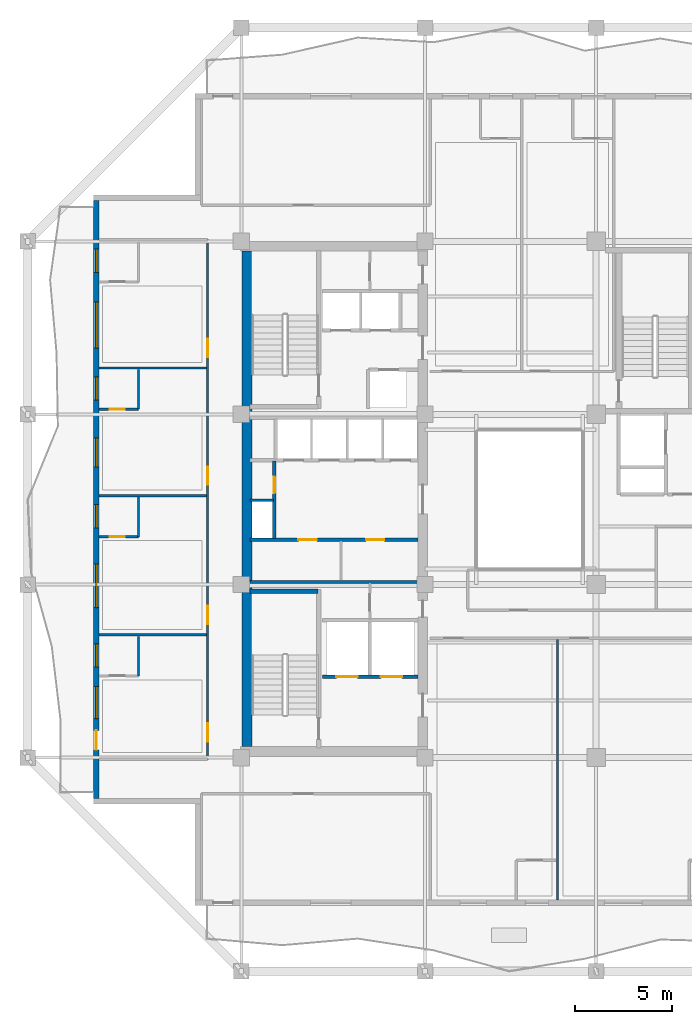
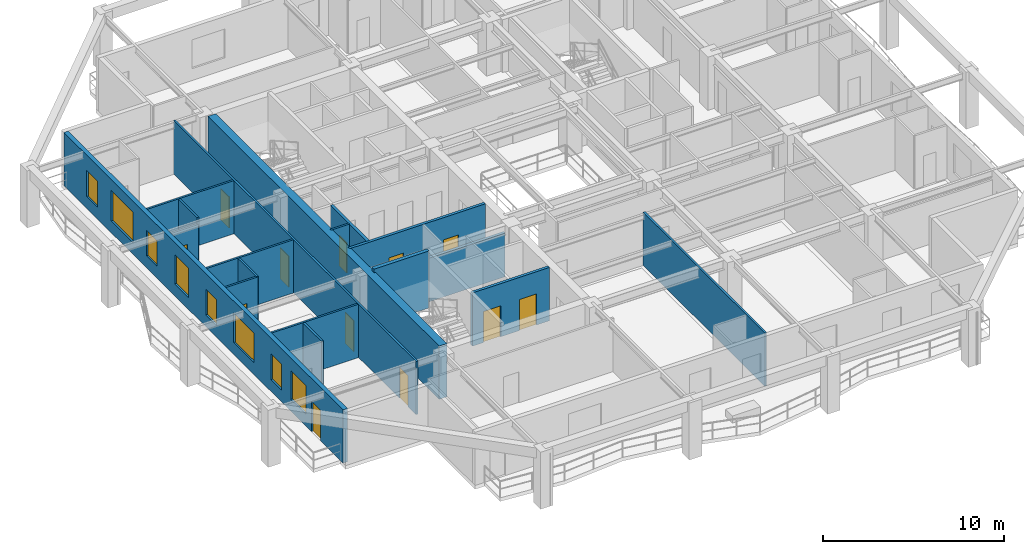
# One storey, part 3 of 13: 18 walls, 12 doors, 8 windows, 20 openings.
"""IFC4 building model written with IfcOpenShell, lengths in metres."""

import ifcopenshell
import ifcopenshell.guid

model = None  # the IFC model being written
_history = None  # IfcOwnerHistory: only IFC2X3 demands one
_inside = {}  # id of a spatial element -> (the spatial element, [elements in it])
_under = {}  # id of a project, library or spatial element -> (it, [spatial elements below it])
_declared = {}  # id of a project -> (the project, [libraries it declares])
_typed = {}  # id of a type object -> (the type object, [elements of that type])
_made_of = {}  # id of a material, layer set ... -> (it, [elements and type objects made of it])


def new_model(schema):
    """Start an empty IFC model of exactly this schema.

    Asked for "IFC4X3", IfcOpenShell would pick the latest addendum, in which some entities
    have other attributes; the version numbers below select the first issue.
    IFC2X3 requires an IfcOwnerHistory on every rooted entity: one is made here for all.
    """
    global model, _history
    if schema == "IFC4X3":
        model = ifcopenshell.file(schema_version=(4, 3, 0, 0))
    else:
        model = ifcopenshell.file(schema=schema)
    _inside.clear()
    _under.clear()
    _declared.clear()
    _typed.clear()
    _made_of.clear()
    _history = None
    if model.schema == "IFC2X3":
        org = make("IfcOrganization", Name="unknown")
        user = make(
            "IfcPersonAndOrganization",
            ThePerson=make("IfcPerson", FamilyName="unknown"),
            TheOrganization=org,
        )
        app = make(
            "IfcApplication",
            ApplicationDeveloper=org,
            Version="unknown",
            ApplicationFullName="unknown",
            ApplicationIdentifier="unknown",
        )
        _history = make(
            "IfcOwnerHistory",
            OwningUser=user,
            OwningApplication=app,
            ChangeAction="ADDED",
            CreationDate=0,
        )
    return model


def make(cls, **values):
    """One entity of the class cls with the attributes given. An attribute that is None is left unset."""
    return model.create_entity(
        cls, **{name: value for name, value in values.items() if value is not None}
    )


def rooted(cls, **values):
    """An entity with a GlobalId (a new one), such as an element, a storey or a relation."""
    return make(cls, GlobalId=ifcopenshell.guid.new(), OwnerHistory=_history, **values)


def si_unit(unit_type, name, prefix=None):
    """IfcSIUnit, for example si_unit("LENGTHUNIT", "METRE", prefix="MILLI")."""
    return make("IfcSIUnit", UnitType=unit_type, Prefix=prefix, Name=name)


def assignment(units):
    """IfcUnitAssignment: the units of a project."""
    return None if units is None else make("IfcUnitAssignment", Units=units)


def point(xyz):
    """IfcCartesianPoint."""
    return None if xyz is None else make("IfcCartesianPoint", Coordinates=xyz)


def direction(xyz):
    """IfcDirection."""
    return None if xyz is None else make("IfcDirection", DirectionRatios=xyz)


def frame(location, z_axis=None, x_axis=None):
    """IfcAxis2Placement3D, a coordinate frame: its origin and axes. An axis left out is left unset."""
    return make(
        "IfcAxis2Placement3D",
        Location=point(location),
        Axis=direction(z_axis),
        RefDirection=direction(x_axis),
    )


def frame_2d(location, x_axis=None):
    """IfcAxis2Placement2D, a coordinate frame in the plane: its origin and x axis."""
    return make(
        "IfcAxis2Placement2D", Location=point(location), RefDirection=direction(x_axis)
    )


def origin():
    """The frame at (0, 0, 0) with its axes left unset."""
    return frame((0.0, 0.0, 0.0))


def place(relative_to, where):
    """IfcLocalPlacement: puts the frame where relative to a parent placement (None: the world)."""
    return make(
        "IfcLocalPlacement", PlacementRelTo=relative_to, RelativePlacement=where
    )


def context(
    kind, dimensions, precision=None, world=None, true_north=None, identifier=None
):
    """IfcGeometricRepresentationContext, for example the 3D "Model" context."""
    return make(
        "IfcGeometricRepresentationContext",
        ContextIdentifier=identifier,
        ContextType=kind,
        CoordinateSpaceDimension=dimensions,
        Precision=precision,
        WorldCoordinateSystem=world,
        TrueNorth=true_north,
    )


def subcontext(parent, identifier, kind, view, scale=None):
    """IfcGeometricRepresentationSubContext, for example "Body" below "Model"."""
    return make(
        "IfcGeometricRepresentationSubContext",
        ContextIdentifier=identifier,
        ContextType=kind,
        ParentContext=parent,
        TargetScale=scale,
        TargetView=view,
    )


def project(units=None, contexts=None):
    """IfcProject with its units and contexts."""
    return rooted(
        "IfcProject",
        Name="project",
        RepresentationContexts=contexts,
        UnitsInContext=assignment(units),
    )


def spatial(cls, under=None, at=None, **own):
    """A site, building, storey or space (cls), placed at a placement, below another one or the project."""
    s = rooted(cls, ObjectPlacement=at, **own)
    if under is not None:
        _under.setdefault(under.id(), (under, []))[1].append(s)
    return s


def profile(cls, at=None, kind="AREA", **sizes):
    """A parametric profile (cls). Its sizes go by their IFC names, for example OverallWidth=200.0."""
    return make(cls, ProfileType=kind, Position=at, **sizes)


def rectangle(**sizes):
    """IfcRectangleProfileDef."""
    return profile("IfcRectangleProfileDef", **sizes)


def extrude(swept, where, along, depth):
    """IfcExtrudedAreaSolid: the profile swept, set in the frame where, extruded along a direction by depth."""
    return make(
        "IfcExtrudedAreaSolid",
        SweptArea=swept,
        Position=where,
        ExtrudedDirection=direction(along),
        Depth=depth,
    )


def shape(context_of_items, identifier, shape_type, items):
    """IfcShapeRepresentation: the items that make up one representation, for example the "Body"."""
    return make(
        "IfcShapeRepresentation",
        ContextOfItems=context_of_items,
        RepresentationIdentifier=identifier,
        RepresentationType=shape_type,
        Items=items,
    )


def material(Name=None, Category=None):
    """IfcMaterial."""
    return make("IfcMaterial", Name=Name, Category=Category)


def layer(
    of_material, thickness, ventilated=None, Name=None, Category=None, Priority=None
):
    """IfcMaterialLayer: one layer of a wall or slab, of a material (None: an air gap)."""
    return make(
        "IfcMaterialLayer",
        Material=of_material,
        LayerThickness=thickness,
        IsVentilated=ventilated,
        Name=Name,
        Category=Category,
        Priority=Priority,
    )


def layer_set(layers, Name=None):
    """IfcMaterialLayerSet."""
    return make("IfcMaterialLayerSet", MaterialLayers=layers, LayerSetName=Name)


def made_of(thing, what):
    """Note that an element or type object is made of a material, layer set ...; save() writes the relation."""
    if what is not None:
        _made_of.setdefault(what.id(), (what, []))[1].append(thing)
    return thing


def type_object(cls, material=None, **own):
    """A type object (cls), such as IfcWallType, which elements share."""
    return made_of(rooted(cls, **own), material)


def element(
    cls,
    number,
    at=None,
    inside=None,
    cuts=None,
    type_object=None,
    material=None,
    context=None,
    identifier="Body",
    shape_type=None,
    held_by="IfcProductDefinitionShape",
    body=None,
    shapes=None,
    **own,
):
    """One element of the class cls, such as IfcWall. Its Tag is "e" and its number.

    at: its placement. inside: the storey or other place that contains it. cuts: it is an
    opening in that element (IfcRelVoidsElement). A single representation is given by context,
    identifier, shape_type and body (its items); several are given by shapes. held_by: the class
    of the entity that holds the representations. save() writes the other relations.
    """
    e = rooted(cls, Tag="e%d" % number, ObjectPlacement=at, **own)
    if body is not None:
        shapes = [shape(context, identifier, shape_type, body)]
    if shapes is not None:
        e.Representation = make(held_by, Representations=shapes)
    if inside is not None:
        _inside.setdefault(inside.id(), (inside, []))[1].append(e)
    if cuts is not None:
        rooted(
            "IfcRelVoidsElement", RelatingBuildingElement=cuts, RelatedOpeningElement=e
        )
    if type_object is not None:
        _typed.setdefault(type_object.id(), (type_object, []))[1].append(e)
    return made_of(e, material)


def fill(opening, filler):
    """IfcRelFillsElement: the door or window that sits in an opening."""
    return rooted(
        "IfcRelFillsElement",
        RelatingOpeningElement=opening,
        RelatedBuildingElement=filler,
    )


def aggregate(whole, parts):
    """IfcRelAggregates: a whole, such as a stair, and the parts it consists of."""
    return rooted("IfcRelAggregates", RelatingObject=whole, RelatedObjects=parts)


def save(model, path):
    """Write the relations noted so far, then the file.

    IfcRelAggregates (storeys below a building ...), IfcRelContainedInSpatialStructure (elements
    in a storey), IfcRelDefinesByType, IfcRelAssociatesMaterial and IfcRelDeclares: one each for
    every whole, place, type object, material and project.
    """
    for whole, parts in _under.values():
        aggregate(whole, parts)
    for where, things in _inside.values():
        rooted(
            "IfcRelContainedInSpatialStructure",
            RelatedElements=things,
            RelatingStructure=where,
        )
    for kind, things in _typed.values():
        rooted("IfcRelDefinesByType", RelatedObjects=things, RelatingType=kind)
    for what, things in _made_of.values():
        rooted("IfcRelAssociatesMaterial", RelatedObjects=things, RelatingMaterial=what)
    for by, libraries in _declared.values():
        rooted("IfcRelDeclares", RelatingContext=by, RelatedDefinitions=libraries)
    model.write(path)


model = new_model("IFC4")

# Units and contexts
model_context = context("Model", 3, precision=1e-05, world=origin(), true_north=direction((0.0, 1.0)))
body_context = subcontext(model_context, "Body", "Model", "MODEL_VIEW")
ifc_project = project(units=[si_unit("LENGTHUNIT", "METRE"), si_unit("AREAUNIT", "SQUARE_METRE"), si_unit("VOLUMEUNIT", "CUBIC_METRE"), si_unit("PLANEANGLEUNIT", "RADIAN"), si_unit("MASSUNIT", "GRAM", prefix="KILO")], contexts=[model_context])

# Site, building, storey
site_placement = place(None, origin())
site = spatial("IfcSite", under=ifc_project, at=site_placement, CompositionType="ELEMENT")
building_placement = place(site_placement, origin())
building = spatial("IfcBuilding", under=site, at=building_placement, Name="Kundavana Baori Tower", CompositionType="ELEMENT")
storey_placement = place(building_placement, frame((0.0, 0.0, 165.60009765625)))
storey = spatial("IfcBuildingStorey", under=building, at=storey_placement, Name="L40", CompositionType="ELEMENT", Elevation=165.60009765625)

# Walls
ifc_material_1 = material(Name="Concrete C50/60", Category="concrete")
ifc_layer_1 = layer(ifc_material_1, 0.39990234375, Name="WL-CORE-400")
ifc_layer_set_1 = layer_set([ifc_layer_1], Name="Concrete C50/60")
wall_type_1 = type_object("IfcWallType", Name="WL-CORE-400", PredefinedType="SHEAR", material=ifc_layer_set_1)
wall_1_placement = place(storey_placement, frame((15.89990234375, 23.860107421875, 0.0), z_axis=(0.0, 0.0, 1.0), x_axis=(1.0, 0.0, 0.0)))
element("IfcWall", 1, at=wall_1_placement, inside=storey, type_object=wall_type_1, Name="WL-L40-ST1-N", PredefinedType="SHEAR", context=body_context, shape_type="SweptSolid", body=[
    extrude(rectangle(XDim=3.52001953125, YDim=0.239990234375, at=frame_2d((1.760009765625, 0.0))), origin(), (0.0, 0.0, 1.0), 3.849853515625),
])
ifc_material_2 = material(Name="Concrete C50/60", Category="concrete")
ifc_layer_2 = layer(ifc_material_2, 0.5, Name="WL-CORE-500")
ifc_layer_set_2 = layer_set([ifc_layer_2], Name="Concrete C50/60")
wall_type_2 = type_object("IfcWallType", Name="WL-CORE-500", PredefinedType="SHEAR", material=ifc_layer_set_2)
wall_2_placement = place(storey_placement, frame((15.739990234375, 15.81005859375, 0.0), z_axis=(0.0, 0.0, 1.0), x_axis=(0.0, 1.0, 0.0)))
element("IfcWall", 2, at=wall_2_placement, inside=storey, type_object=wall_type_2, Name="L40 Offset Core West Shear Wall", PredefinedType="SHEAR", context=body_context, shape_type="SweptSolid", body=[
    extrude(rectangle(XDim=25.6298828125, YDim=0.5, at=frame_2d((12.81494140625, 0.0))), origin(), (0.0, 0.0, 1.0), 3.599853515625),
])

# Wall, openings, door, windows
ifc_material_3 = material(Name="Red-Buff Dholpur Sandstone Cladding on Concrete C40/50", Category="masonry")
ifc_layer_3 = layer(ifc_material_3, 0.280029296875, Name="WL-EXT-SAND-280")
ifc_layer_set_3 = layer_set([ifc_layer_3], Name="Red-Buff Dholpur Sandstone Cladding on Concrete C40/50")
wall_type_3 = type_object("IfcWallType", Name="WL-EXT-SAND-280", PredefinedType="STANDARD", material=ifc_layer_set_3)
wall_3_placement = place(storey_placement, frame((7.93994140625, 44.070068359375, 0.0), z_axis=(0.0, 0.0, 1.0), x_axis=(0.0, -1.0, 0.0)))
wall_3 = element("IfcWall", 3, at=wall_3_placement, inside=storey, type_object=wall_type_3, Name="L40 Exterior Insulated Facade Wall 10", PredefinedType="STANDARD", context=body_context, shape_type="SweptSolid", body=[
    extrude(rectangle(XDim=30.940185546875, YDim=0.280029296875, at=frame_2d((15.47021484375, 0.0))), origin(), (0.0, 0.0, 1.0), 3.599853515625),
])
opening_1_placement = place(wall_3_placement, frame((27.419921875, 0.0, 0.0)))
opening_1 = element("IfcOpeningElement", 4, at=opening_1_placement, cuts=wall_3, Name="Opening BD-1", PredefinedType="OPENING", context=body_context, shape_type="SweptSolid", body=[
    extrude(rectangle(XDim=1.0, YDim=2.050048828125, at=frame_2d((0.5, 1.02490234375))), frame((0.0, 0.14990234375, 0.0), z_axis=(0.0, -1.0, 0.0), x_axis=(1.0, 0.0, 0.0)), (0.0, 0.0, 1.0), 0.300048828125),
])
opening_2_placement = place(wall_3_placement, frame((25.155029296875, 0.0, 0.800048828125)))
opening_2 = element("IfcOpeningElement", 5, at=opening_2_placement, cuts=wall_3, Name="Opening W-08", PredefinedType="OPENING", context=body_context, shape_type="SweptSolid", body=[
    extrude(rectangle(XDim=1.64990234375, YDim=1.949951171875, at=frame_2d((0.824951171875, 0.97509765625))), frame((0.0, 0.14990234375, 0.0), z_axis=(0.0, -1.0, 0.0), x_axis=(1.0, 0.0, 0.0)), (0.0, 0.0, 1.0), 0.300048828125),
])
opening_3_placement = place(wall_3_placement, frame((22.93505859375, 0.0, 0.800048828125)))
opening_3 = element("IfcOpeningElement", 6, at=opening_3_placement, cuts=wall_3, Name="Opening W-03", PredefinedType="OPENING", context=body_context, shape_type="SweptSolid", body=[
    extrude(rectangle(XDim=1.199951171875, YDim=1.75, at=frame_2d((0.60009765625, 0.875))), frame((0.0, 0.14990234375, 0.0), z_axis=(0.0, -1.0, 0.0), x_axis=(1.0, 0.0, 0.0)), (0.0, 0.0, 1.0), 0.300048828125),
])
opening_4_placement = place(wall_3_placement, frame((18.81005859375, 0.0, 0.800048828125)))
opening_4 = element("IfcOpeningElement", 7, at=opening_4_placement, cuts=wall_3, Name="Opening W-10", PredefinedType="OPENING", context=body_context, shape_type="SweptSolid", body=[
    extrude(rectangle(XDim=2.25, YDim=2.0, at=frame_2d((1.125, 1.0))), frame((0.0, 0.14990234375, 0.0), z_axis=(0.0, -1.0, 0.0), x_axis=(1.0, 0.0, 0.0)), (0.0, 0.0, 1.0), 0.300048828125),
])
opening_5_placement = place(wall_3_placement, frame((15.735107421875, 0.0, 0.800048828125)))
opening_5 = element("IfcOpeningElement", 8, at=opening_5_placement, cuts=wall_3, Name="Opening W-03", PredefinedType="OPENING", context=body_context, shape_type="SweptSolid", body=[
    extrude(rectangle(XDim=1.199951171875, YDim=1.75, at=frame_2d((0.60009765625, 0.875))), frame((0.0, 0.14990234375, 0.0), z_axis=(0.0, -1.0, 0.0), x_axis=(1.0, 0.0, 0.0)), (0.0, 0.0, 1.0), 0.300048828125),
])
opening_6_placement = place(wall_3_placement, frame((12.284912109375, 0.0, 0.800048828125)))
opening_6 = element("IfcOpeningElement", 9, at=opening_6_placement, cuts=wall_3, Name="Opening W-02", PredefinedType="OPENING", context=body_context, shape_type="SweptSolid", body=[
    extrude(rectangle(XDim=1.5, YDim=2.0, at=frame_2d((0.75, 1.0))), frame((0.0, 0.14990234375, 0.0), z_axis=(0.0, -1.0, 0.0), x_axis=(1.0, 0.0, 0.0)), (0.0, 0.0, 1.0), 0.300048828125),
])
opening_7_placement = place(wall_3_placement, frame((9.135009765625, 0.0, 0.800048828125)))
opening_7 = element("IfcOpeningElement", 10, at=opening_7_placement, cuts=wall_3, Name="Opening W-03", PredefinedType="OPENING", context=body_context, shape_type="SweptSolid", body=[
    extrude(rectangle(XDim=1.199951171875, YDim=1.75, at=frame_2d((0.60009765625, 0.875))), frame((0.0, 0.14990234375, 0.0), z_axis=(0.0, -1.0, 0.0), x_axis=(1.0, 0.0, 0.0)), (0.0, 0.0, 1.0), 0.300048828125),
])
opening_8_placement = place(wall_3_placement, frame((5.2451171875, 0.0, 0.800048828125)))
opening_8 = element("IfcOpeningElement", 11, at=opening_8_placement, cuts=wall_3, Name="Opening W-04", PredefinedType="OPENING", context=body_context, shape_type="SweptSolid", body=[
    extrude(rectangle(XDim=2.39990234375, YDim=2.050048828125, at=frame_2d((1.199951171875, 1.02490234375))), frame((0.0, 0.14990234375, 0.0), z_axis=(0.0, -1.0, 0.0), x_axis=(1.0, 0.0, 0.0)), (0.0, 0.0, 1.0), 0.300048828125),
])
opening_9_placement = place(wall_3_placement, frame((2.52490234375, 0.0, 0.800048828125)))
opening_9 = element("IfcOpeningElement", 12, at=opening_9_placement, cuts=wall_3, Name="Opening W-03", PredefinedType="OPENING", context=body_context, shape_type="SweptSolid", body=[
    extrude(rectangle(XDim=1.199951171875, YDim=1.75, at=frame_2d((0.60009765625, 0.875))), frame((0.0, 0.14990234375, 0.0), z_axis=(0.0, -1.0, 0.0), x_axis=(1.0, 0.0, 0.0)), (0.0, 0.0, 1.0), 0.300048828125),
])
ifc_material_4 = material(Name="Architectural Patinated Bronze Metalwork")
door_type_1 = type_object("IfcDoorType", Name="DR-EXT-LOG-1000", OperationType="NOTDEFINED", PredefinedType="DOOR", material=ifc_material_4)
door_1_placement = place(opening_1_placement, frame((1.0, 0.0, 0.0), z_axis=(0.0, 0.0, 1.0), x_axis=(-1.0, 0.0, 0.0)))
door_1 = element("IfcDoor", 13, at=door_1_placement, inside=storey, type_object=door_type_1, Name="L40 Loggia Balcony Access Door W", OperationType="SINGLE_SWING_RIGHT", OverallHeight=2.050048828125, OverallWidth=1.0, PredefinedType="DOOR", context=body_context, shape_type="SweptSolid", body=[
    extrude(rectangle(XDim=1.0, YDim=2.050048828125, at=frame_2d((0.5, 1.02490234375))), frame((0.0, 0.02490234375, 0.0), z_axis=(0.0, -1.0, 0.0), x_axis=(1.0, 0.0, 0.0)), (0.0, 0.0, 1.0), 0.050048828125),
])
fill(opening_1, door_1)
ifc_material_5 = material(Name="Double-Glazed Solar-Control Low-E Insulated Glass", Category="glass")
window_type_1 = type_object("IfcWindowType", Name="WIN-LOG-1200x1750", PartitioningType="SINGLE_PANEL", PredefinedType="WINDOW", material=ifc_material_5)
window_1_placement = place(opening_3_placement, origin())
window_1 = element("IfcWindow", 14, at=window_1_placement, inside=storey, type_object=window_type_1, Name="L40 Recessed Loggia Window W-2", OverallHeight=1.75, OverallWidth=1.199951171875, PartitioningType="SINGLE_PANEL", PredefinedType="WINDOW", context=body_context, shape_type="SweptSolid", body=[
    extrude(rectangle(XDim=1.199951171875, YDim=1.75, at=frame_2d((0.60009765625, 0.875))), frame((0.0, 0.030029296875, 0.0), z_axis=(0.0, -1.0, 0.0), x_axis=(1.0, 0.0, 0.0)), (0.0, 0.0, 1.0), 0.06005859375),
])
fill(opening_3, window_1)
window_2_placement = place(opening_5_placement, origin())
window_2 = element("IfcWindow", 15, at=window_2_placement, inside=storey, type_object=window_type_1, Name="L40 Recessed Loggia Window W-4", OverallHeight=1.75, OverallWidth=1.199951171875, PartitioningType="SINGLE_PANEL", PredefinedType="WINDOW", context=body_context, shape_type="SweptSolid", body=[
    extrude(rectangle(XDim=1.199951171875, YDim=1.75, at=frame_2d((0.60009765625, 0.875))), frame((0.0, 0.030029296875, 0.0), z_axis=(0.0, -1.0, 0.0), x_axis=(1.0, 0.0, 0.0)), (0.0, 0.0, 1.0), 0.06005859375),
])
fill(opening_5, window_2)
window_3_placement = place(opening_7_placement, origin())
window_3 = element("IfcWindow", 16, at=window_3_placement, inside=storey, type_object=window_type_1, Name="L40 Recessed Loggia Window W-6", OverallHeight=1.75, OverallWidth=1.199951171875, PartitioningType="SINGLE_PANEL", PredefinedType="WINDOW", context=body_context, shape_type="SweptSolid", body=[
    extrude(rectangle(XDim=1.199951171875, YDim=1.75, at=frame_2d((0.60009765625, 0.875))), frame((0.0, 0.030029296875, 0.0), z_axis=(0.0, -1.0, 0.0), x_axis=(1.0, 0.0, 0.0)), (0.0, 0.0, 1.0), 0.06005859375),
])
fill(opening_7, window_3)
window_4_placement = place(opening_9_placement, origin())
window_4 = element("IfcWindow", 17, at=window_4_placement, inside=storey, type_object=window_type_1, Name="L40 Recessed Loggia Window W-8", OverallHeight=1.75, OverallWidth=1.199951171875, PartitioningType="SINGLE_PANEL", PredefinedType="WINDOW", context=body_context, shape_type="SweptSolid", body=[
    extrude(rectangle(XDim=1.199951171875, YDim=1.75, at=frame_2d((0.60009765625, 0.875))), frame((0.0, 0.030029296875, 0.0), z_axis=(0.0, -1.0, 0.0), x_axis=(1.0, 0.0, 0.0)), (0.0, 0.0, 1.0), 0.06005859375),
])
fill(opening_9, window_4)
ifc_material_6 = material(Name="Double-Glazed Solar-Control Low-E Insulated Glass", Category="glass")
window_type_2 = type_object("IfcWindowType", Name="WIN-LOG-1500x2000", PartitioningType="SINGLE_PANEL", PredefinedType="WINDOW", material=ifc_material_6)
window_5_placement = place(opening_6_placement, origin())
window_5 = element("IfcWindow", 18, at=window_5_placement, inside=storey, type_object=window_type_2, Name="L40 Recessed Loggia Window W-5", OverallHeight=2.0, OverallWidth=1.5, PartitioningType="SINGLE_PANEL", PredefinedType="WINDOW", context=body_context, shape_type="SweptSolid", body=[
    extrude(rectangle(XDim=1.5, YDim=2.0, at=frame_2d((0.75, 1.0))), frame((0.0, 0.030029296875, 0.0), z_axis=(0.0, -1.0, 0.0), x_axis=(1.0, 0.0, 0.0)), (0.0, 0.0, 1.0), 0.06005859375),
])
fill(opening_6, window_5)
ifc_material_7 = material(Name="Double-Glazed Solar-Control Low-E Insulated Glass", Category="glass")
window_type_3 = type_object("IfcWindowType", Name="WIN-LOG-1650x1950", PartitioningType="SINGLE_PANEL", PredefinedType="WINDOW", material=ifc_material_7)
window_6_placement = place(opening_2_placement, origin())
window_6 = element("IfcWindow", 19, at=window_6_placement, inside=storey, type_object=window_type_3, Name="L40 Recessed Loggia Window W-1", OverallHeight=1.949951171875, OverallWidth=1.64990234375, PartitioningType="SINGLE_PANEL", PredefinedType="WINDOW", context=body_context, shape_type="SweptSolid", body=[
    extrude(rectangle(XDim=1.64990234375, YDim=1.949951171875, at=frame_2d((0.824951171875, 0.97509765625))), frame((0.0, 0.030029296875, 0.0), z_axis=(0.0, -1.0, 0.0), x_axis=(1.0, 0.0, 0.0)), (0.0, 0.0, 1.0), 0.06005859375),
])
fill(opening_2, window_6)
ifc_material_8 = material(Name="Double-Glazed Solar-Control Low-E Insulated Glass", Category="glass")
window_type_4 = type_object("IfcWindowType", Name="WIN-LOG-2250x2000", PartitioningType="SINGLE_PANEL", PredefinedType="WINDOW", material=ifc_material_8)
window_7_placement = place(opening_4_placement, origin())
window_7 = element("IfcWindow", 20, at=window_7_placement, inside=storey, type_object=window_type_4, Name="L40 Recessed Loggia Window W-3", OverallHeight=2.0, OverallWidth=2.25, PartitioningType="SINGLE_PANEL", PredefinedType="WINDOW", context=body_context, shape_type="SweptSolid", body=[
    extrude(rectangle(XDim=2.25, YDim=2.0, at=frame_2d((1.125, 1.0))), frame((0.0, 0.030029296875, 0.0), z_axis=(0.0, -1.0, 0.0), x_axis=(1.0, 0.0, 0.0)), (0.0, 0.0, 1.0), 0.06005859375),
])
fill(opening_4, window_7)
ifc_material_9 = material(Name="Double-Glazed Solar-Control Low-E Insulated Glass", Category="glass")
window_type_5 = type_object("IfcWindowType", Name="WIN-LOG-2400x2050", PartitioningType="SINGLE_PANEL", PredefinedType="WINDOW", material=ifc_material_9)
window_8_placement = place(opening_8_placement, origin())
window_8 = element("IfcWindow", 21, at=window_8_placement, inside=storey, type_object=window_type_5, Name="L40 Recessed Loggia Window W-7", OverallHeight=2.050048828125, OverallWidth=2.39990234375, PartitioningType="SINGLE_PANEL", PredefinedType="WINDOW", context=body_context, shape_type="SweptSolid", body=[
    extrude(rectangle(XDim=2.39990234375, YDim=2.050048828125, at=frame_2d((1.199951171875, 1.02490234375))), frame((0.0, 0.030029296875, 0.0), z_axis=(0.0, -1.0, 0.0), x_axis=(1.0, 0.0, 0.0)), (0.0, 0.0, 1.0), 0.06005859375),
])
fill(opening_8, window_8)

# Wall
ifc_material_10 = material(Name="Acoustic Gypsum Plasterboard on Galvanised Steel Studs", Category="steel")
ifc_layer_4 = layer(ifc_material_10, 0.1201171875, Name="WL-PART-120")
ifc_layer_set_4 = layer_set([ifc_layer_4], Name="Acoustic Gypsum Plasterboard on Galvanised Steel Studs")
wall_type_4 = type_object("IfcWallType", Name="WL-PART-120", PredefinedType="PARTITIONING", material=ifc_layer_set_4)
wall_4_placement = place(storey_placement, frame((15.89990234375, 28.56005859375, 0.0), z_axis=(0.0, 0.0, 1.0), x_axis=(1.0, 0.0, 0.0)))
element("IfcWall", 22, at=wall_4_placement, inside=storey, type_object=wall_type_4, Name="WL-L40-RSRW-N", PredefinedType="PARTITIONING", context=body_context, shape_type="SweptSolid", body=[
    extrude(rectangle(XDim=1.2001953125, YDim=0.1201171875, at=frame_2d((0.60009765625, 0.0))), origin(), (0.0, 0.0, 1.0), 3.599853515625),
])

# Wall, openings, doors
ifc_material_11 = material(Name="Autoclaved Aerated Concrete Blockwork Masonry", Category="masonry")
ifc_layer_5 = layer(ifc_material_11, 0.179931640625, Name="WL-SHAFT-180")
ifc_layer_set_5 = layer_set([ifc_layer_5], Name="Autoclaved Aerated Concrete Blockwork Masonry")
wall_type_5 = type_object("IfcWallType", Name="WL-SHAFT-180", PredefinedType="SOLIDWALL", material=ifc_layer_set_5)
wall_5_placement = place(storey_placement, frame((19.639892578125, 19.419921875, 0.0), z_axis=(0.0, 0.0, 1.0), x_axis=(1.0, 0.0, 0.0)))
wall_5 = element("IfcWall", 23, at=wall_5_placement, inside=storey, type_object=wall_type_5, Name="WL-L40-FFL-S", PredefinedType="SOLIDWALL", context=body_context, shape_type="SweptSolid", body=[
    extrude(rectangle(XDim=4.940185546875, YDim=0.179931640625, at=frame_2d((2.47021484375, 0.0))), origin(), (0.0, 0.0, 1.0), 3.599853515625),
])
opening_10_placement = place(wall_5_placement, frame((0.719970703125, 0.0, 0.0)))
opening_10 = element("IfcOpeningElement", 24, at=opening_10_placement, cuts=wall_5, Name="Opening LD-110", PredefinedType="OPENING", context=body_context, shape_type="SweptSolid", body=[
    extrude(rectangle(XDim=1.10009765625, YDim=2.10009765625, at=frame_2d((0.550048828125, 1.050048828125))), frame((0.0, 0.10009765625, 0.0), z_axis=(0.0, -1.0, 0.0), x_axis=(1.0, 0.0, 0.0)), (0.0, 0.0, 1.0), 0.199951171875),
])
opening_11_placement = place(wall_5_placement, frame((3.02001953125, 0.0, 0.0)))
opening_11 = element("IfcOpeningElement", 25, at=opening_11_placement, cuts=wall_5, Name="Opening LD-110", PredefinedType="OPENING", context=body_context, shape_type="SweptSolid", body=[
    extrude(rectangle(XDim=1.10009765625, YDim=2.10009765625, at=frame_2d((0.550048828125, 1.050048828125))), frame((0.0, 0.10009765625, 0.0), z_axis=(0.0, -1.0, 0.0), x_axis=(1.0, 0.0, 0.0)), (0.0, 0.0, 1.0), 0.199951171875),
])
ifc_material_12 = material(Name="Galvanised Steel Fire-Rated Door Leaf", Category="steel")
door_type_2 = type_object("IfcDoorType", Name="DR-SLIDE-LD1100", OperationType="NOTDEFINED", PredefinedType="DOOR", material=ifc_material_12)
door_2_placement = place(opening_10_placement, origin())
door_2 = element("IfcDoor", 26, at=door_2_placement, inside=storey, type_object=door_type_2, Name="DR-L40-LD-FFL-1", OperationType="DOUBLE_DOOR_SLIDING", OverallHeight=2.10009765625, OverallWidth=1.10009765625, PredefinedType="DOOR", context=body_context, shape_type="SweptSolid", body=[
    extrude(rectangle(XDim=1.10009765625, YDim=2.10009765625, at=frame_2d((0.550048828125, 1.050048828125))), frame((0.0, 0.02490234375, 0.0), z_axis=(0.0, -1.0, 0.0), x_axis=(1.0, 0.0, 0.0)), (0.0, 0.0, 1.0), 0.050048828125),
])
fill(opening_10, door_2)
door_3_placement = place(opening_11_placement, origin())
door_3 = element("IfcDoor", 27, at=door_3_placement, inside=storey, type_object=door_type_2, Name="DR-L40-LD-FFL-2", OperationType="DOUBLE_DOOR_SLIDING", OverallHeight=2.10009765625, OverallWidth=1.10009765625, PredefinedType="DOOR", context=body_context, shape_type="SweptSolid", body=[
    extrude(rectangle(XDim=1.10009765625, YDim=2.10009765625, at=frame_2d((0.550048828125, 1.050048828125))), frame((0.0, 0.02490234375, 0.0), z_axis=(0.0, -1.0, 0.0), x_axis=(1.0, 0.0, 0.0)), (0.0, 0.0, 1.0), 0.050048828125),
])
fill(opening_11, door_3)

wall_6_placement = place(storey_placement, frame((15.89990234375, 26.52001953125, 0.0), z_axis=(0.0, 0.0, 1.0), x_axis=(1.0, 0.0, 0.0)))
wall_6 = element("IfcWall", 28, at=wall_6_placement, inside=storey, type_object=wall_type_5, Name="WL-L40-LPLOW-N", PredefinedType="SOLIDWALL", context=body_context, shape_type="SweptSolid", body=[
    extrude(rectangle(XDim=8.68017578125, YDim=0.179931640625, at=frame_2d((4.340087890625, 0.0))), origin(), (0.0, 0.0, 1.0), 3.599853515625),
])
opening_12_placement = place(wall_6_placement, frame((2.5, 0.0, 0.0)))
opening_12 = element("IfcOpeningElement", 29, at=opening_12_placement, cuts=wall_6, Name="Opening FD-095", PredefinedType="OPENING", context=body_context, shape_type="SweptSolid", body=[
    extrude(rectangle(XDim=0.949951171875, YDim=2.10009765625, at=frame_2d((0.47509765625, 1.050048828125))), frame((0.0, 0.10009765625, 0.0), z_axis=(0.0, -1.0, 0.0), x_axis=(1.0, 0.0, 0.0)), (0.0, 0.0, 1.0), 0.199951171875),
])
opening_13_placement = place(wall_6_placement, frame((6.0, 0.0, 0.0)))
opening_13 = element("IfcOpeningElement", 30, at=opening_13_placement, cuts=wall_6, Name="Opening FD-095", PredefinedType="OPENING", context=body_context, shape_type="SweptSolid", body=[
    extrude(rectangle(XDim=0.949951171875, YDim=2.10009765625, at=frame_2d((0.47509765625, 1.050048828125))), frame((0.0, 0.10009765625, 0.0), z_axis=(0.0, -1.0, 0.0), x_axis=(1.0, 0.0, 0.0)), (0.0, 0.0, 1.0), 0.199951171875),
])
ifc_material_13 = material(Name="Engineered Teak Fire-Rated Timber Door Leaf", Category="wood")
door_type_3 = type_object("IfcDoorType", Name="DR-FD60-950", OperationType="NOTDEFINED", PredefinedType="DOOR", material=ifc_material_13)
door_4_placement = place(opening_12_placement, origin())
door_4 = element("IfcDoor", 31, at=door_4_placement, inside=storey, type_object=door_type_3, Name="DR-L40-FRLOW1", OperationType="SINGLE_SWING_LEFT", OverallHeight=2.10009765625, OverallWidth=0.949951171875, PredefinedType="DOOR", context=body_context, shape_type="SweptSolid", body=[
    extrude(rectangle(XDim=0.949951171875, YDim=2.10009765625, at=frame_2d((0.47509765625, 1.050048828125))), frame((0.0, 0.02490234375, 0.0), z_axis=(0.0, -1.0, 0.0), x_axis=(1.0, 0.0, 0.0)), (0.0, 0.0, 1.0), 0.050048828125),
])
fill(opening_12, door_4)
door_5_placement = place(opening_13_placement, origin())
door_5 = element("IfcDoor", 32, at=door_5_placement, inside=storey, type_object=door_type_3, Name="DR-L40-FRLOW2", OperationType="SINGLE_SWING_RIGHT", OverallHeight=2.10009765625, OverallWidth=0.949951171875, PredefinedType="DOOR", context=body_context, shape_type="SweptSolid", body=[
    extrude(rectangle(XDim=0.949951171875, YDim=2.10009765625, at=frame_2d((0.47509765625, 1.050048828125))), frame((0.0, 0.02490234375, 0.0), z_axis=(0.0, -1.0, 0.0), x_axis=(1.0, 0.0, 0.0)), (0.0, 0.0, 1.0), 0.050048828125),
])
fill(opening_13, door_5)

# Wall
wall_7_placement = place(storey_placement, frame((15.89990234375, 24.330078125, 0.0), z_axis=(0.0, 0.0, 1.0), x_axis=(1.0, 0.0, 0.0)))
element("IfcWall", 33, at=wall_7_placement, inside=storey, type_object=wall_type_5, Name="WL-L40-LPLOW-S", PredefinedType="SOLIDWALL", context=body_context, shape_type="SweptSolid", body=[
    extrude(rectangle(XDim=8.68017578125, YDim=0.179931640625, at=frame_2d((4.340087890625, 0.0))), origin(), (0.0, 0.0, 1.0), 2.949951171875),
])

# Wall, opening, door
wall_8_placement = place(storey_placement, frame((17.159912109375, 26.580078125, 0.0), z_axis=(0.0, 0.0, 1.0), x_axis=(0.0, 1.0, 0.0)))
wall_8 = element("IfcWall", 34, at=wall_8_placement, inside=storey, type_object=wall_type_5, Name="WL-L40-RSRW-E", PredefinedType="SOLIDWALL", context=body_context, shape_type="SweptSolid", body=[
    extrude(rectangle(XDim=4.02001953125, YDim=0.179931640625, at=frame_2d((2.010009765625, 0.0))), origin(), (0.0, 0.0, 1.0), 3.599853515625),
])
opening_14_placement = place(wall_8_placement, frame((2.35009765625, 0.0, 0.0)))
opening_14 = element("IfcOpeningElement", 35, at=opening_14_placement, cuts=wall_8, Name="Opening FD-085", PredefinedType="OPENING", context=body_context, shape_type="SweptSolid", body=[
    extrude(rectangle(XDim=0.85009765625, YDim=2.06005859375, at=frame_2d((0.425048828125, 1.030029296875))), frame((0.0, 0.10009765625, 0.0), z_axis=(0.0, -1.0, 0.0), x_axis=(1.0, 0.0, 0.0)), (0.0, 0.0, 1.0), 0.199951171875),
])
ifc_material_14 = material(Name="Galvanised Steel Fire-Rated Door Leaf", Category="steel")
door_type_4 = type_object("IfcDoorType", Name="DR-FD60-850", OperationType="NOTDEFINED", PredefinedType="DOOR", material=ifc_material_14)
door_6_placement = place(opening_14_placement, origin())
door_6 = element("IfcDoor", 36, at=door_6_placement, inside=storey, type_object=door_type_4, Name="DR-L40-CLN", OperationType="SINGLE_SWING_RIGHT", OverallHeight=2.06005859375, OverallWidth=0.85009765625, PredefinedType="DOOR", context=body_context, shape_type="SweptSolid", body=[
    extrude(rectangle(XDim=0.85009765625, YDim=2.06005859375, at=frame_2d((0.425048828125, 1.030029296875))), frame((0.0, 0.02490234375, 0.0), z_axis=(0.0, -1.0, 0.0), x_axis=(1.0, 0.0, 0.0)), (0.0, 0.0, 1.0), 0.050048828125),
])
fill(opening_14, door_6)

# Wall, openings, doors
ifc_material_15 = material(Name="Autoclaved Aerated Concrete Blockwork Masonry", Category="masonry")
ifc_layer_6 = layer(ifc_material_15, 0.125, Name="WL-WET-120")
ifc_layer_set_6 = layer_set([ifc_layer_6], Name="Autoclaved Aerated Concrete Blockwork Masonry")
wall_type_6 = type_object("IfcWallType", Name="WL-WET-120", PredefinedType="PLUMBINGWALL", material=ifc_layer_set_6)
wall_9_placement = place(storey_placement, frame((13.699951171875, 15.159912109375, 0.0), z_axis=(0.0, 0.0, 1.0), x_axis=(0.0, 1.0, 0.0)))
wall_9 = element("IfcWall", 37, at=wall_9_placement, inside=storey, type_object=wall_type_6, Name="WL-L40-HW", PredefinedType="PLUMBINGWALL", context=body_context, shape_type="SweptSolid", body=[
    extrude(rectangle(XDim=26.880126953125, YDim=0.125, at=frame_2d((13.43994140625, 0.0))), origin(), (0.0, 0.0, 1.0), 3.599853515625),
])
opening_15_placement = place(wall_9_placement, frame((0.909912109375, 0.0, 0.0)))
opening_15 = element("IfcOpeningElement", 38, at=opening_15_placement, cuts=wall_9, Name="Opening FD-095", PredefinedType="OPENING", context=body_context, shape_type="SweptSolid", body=[
    extrude(rectangle(XDim=0.949951171875, YDim=2.10009765625, at=frame_2d((0.47509765625, 1.050048828125))), frame((0.0, 0.072509765625, 0.0), z_axis=(0.0, -1.0, 0.0), x_axis=(1.0, 0.0, 0.0)), (0.0, 0.0, 1.0), 0.14501953125),
])
opening_16_placement = place(wall_9_placement, frame((6.989990234375, 0.0, 0.0)))
opening_16 = element("IfcOpeningElement", 39, at=opening_16_placement, cuts=wall_9, Name="Opening FD-095", PredefinedType="OPENING", context=body_context, shape_type="SweptSolid", body=[
    extrude(rectangle(XDim=0.949951171875, YDim=2.10009765625, at=frame_2d((0.47509765625, 1.050048828125))), frame((0.0, 0.072509765625, 0.0), z_axis=(0.0, -1.0, 0.0), x_axis=(1.0, 0.0, 0.0)), (0.0, 0.0, 1.0), 0.14501953125),
])
opening_17_placement = place(wall_9_placement, frame((14.18994140625, 0.0, 0.0)))
opening_17 = element("IfcOpeningElement", 40, at=opening_17_placement, cuts=wall_9, Name="Opening FD-095", PredefinedType="OPENING", context=body_context, shape_type="SweptSolid", body=[
    extrude(rectangle(XDim=0.949951171875, YDim=2.10009765625, at=frame_2d((0.47509765625, 1.050048828125))), frame((0.0, 0.072509765625, 0.0), z_axis=(0.0, -1.0, 0.0), x_axis=(1.0, 0.0, 0.0)), (0.0, 0.0, 1.0), 0.14501953125),
])
opening_18_placement = place(wall_9_placement, frame((20.7900390625, 0.0, 0.0)))
opening_18 = element("IfcOpeningElement", 41, at=opening_18_placement, cuts=wall_9, Name="Opening FD-095", PredefinedType="OPENING", context=body_context, shape_type="SweptSolid", body=[
    extrude(rectangle(XDim=0.949951171875, YDim=2.10009765625, at=frame_2d((0.47509765625, 1.050048828125))), frame((0.0, 0.072509765625, 0.0), z_axis=(0.0, -1.0, 0.0), x_axis=(1.0, 0.0, 0.0)), (0.0, 0.0, 1.0), 0.14501953125),
])
door_7_placement = place(opening_15_placement, origin())
door_7 = element("IfcDoor", 42, at=door_7_placement, inside=storey, type_object=door_type_3, Name="DR-L40-HK-W1-ENT", OperationType="SINGLE_SWING_LEFT", OverallHeight=2.10009765625, OverallWidth=0.949951171875, PredefinedType="DOOR", context=body_context, shape_type="SweptSolid", body=[
    extrude(rectangle(XDim=0.949951171875, YDim=2.10009765625, at=frame_2d((0.47509765625, 1.050048828125))), frame((0.0, 0.02490234375, 0.0), z_axis=(0.0, -1.0, 0.0), x_axis=(1.0, 0.0, 0.0)), (0.0, 0.0, 1.0), 0.050048828125),
])
fill(opening_15, door_7)
door_8_placement = place(opening_16_placement, origin())
door_8 = element("IfcDoor", 43, at=door_8_placement, inside=storey, type_object=door_type_3, Name="DR-L40-HK-W2-ENT", OperationType="SINGLE_SWING_LEFT", OverallHeight=2.10009765625, OverallWidth=0.949951171875, PredefinedType="DOOR", context=body_context, shape_type="SweptSolid", body=[
    extrude(rectangle(XDim=0.949951171875, YDim=2.10009765625, at=frame_2d((0.47509765625, 1.050048828125))), frame((0.0, 0.02490234375, 0.0), z_axis=(0.0, -1.0, 0.0), x_axis=(1.0, 0.0, 0.0)), (0.0, 0.0, 1.0), 0.050048828125),
])
fill(opening_16, door_8)
door_9_placement = place(opening_17_placement, origin())
door_9 = element("IfcDoor", 44, at=door_9_placement, inside=storey, type_object=door_type_3, Name="DR-L40-HK-W3-ENT", OperationType="SINGLE_SWING_LEFT", OverallHeight=2.10009765625, OverallWidth=0.949951171875, PredefinedType="DOOR", context=body_context, shape_type="SweptSolid", body=[
    extrude(rectangle(XDim=0.949951171875, YDim=2.10009765625, at=frame_2d((0.47509765625, 1.050048828125))), frame((0.0, 0.02490234375, 0.0), z_axis=(0.0, -1.0, 0.0), x_axis=(1.0, 0.0, 0.0)), (0.0, 0.0, 1.0), 0.050048828125),
])
fill(opening_17, door_9)
door_10_placement = place(opening_18_placement, origin())
door_10 = element("IfcDoor", 45, at=door_10_placement, inside=storey, type_object=door_type_3, Name="DR-L40-HK-W4-ENT", OperationType="SINGLE_SWING_LEFT", OverallHeight=2.10009765625, OverallWidth=0.949951171875, PredefinedType="DOOR", context=body_context, shape_type="SweptSolid", body=[
    extrude(rectangle(XDim=0.949951171875, YDim=2.10009765625, at=frame_2d((0.47509765625, 1.050048828125))), frame((0.0, 0.02490234375, 0.0), z_axis=(0.0, -1.0, 0.0), x_axis=(1.0, 0.0, 0.0)), (0.0, 0.0, 1.0), 0.050048828125),
])
fill(opening_18, door_10)

# Walls
wall_10_placement = place(storey_placement, frame((10.1298828125, 19.469970703125, 0.0), z_axis=(0.0, 0.0, 1.0), x_axis=(0.0, 1.0, 0.0)))
element("IfcWall", 46, at=wall_10_placement, inside=storey, type_object=wall_type_6, Name="WL-L40-HK-W1-BE", PredefinedType="PLUMBINGWALL", context=body_context, shape_type="SweptSolid", body=[
    extrude(rectangle(XDim=2.050048828125, YDim=0.125, at=frame_2d((1.02490234375, 0.0))), origin(), (0.0, 0.0, 1.0), 3.599853515625),
])
wall_11_placement = place(storey_placement, frame((8.080078125, 21.60009765625, 0.0), z_axis=(0.0, 0.0, 1.0), x_axis=(1.0, 0.0, 0.0)))
element("IfcWall", 47, at=wall_11_placement, inside=storey, type_object=wall_type_6, Name="WL-L40-HWD1", PredefinedType="PLUMBINGWALL", context=body_context, shape_type="SweptSolid", body=[
    extrude(rectangle(XDim=5.559814453125, YDim=0.125, at=frame_2d((2.77978515625, 0.0))), origin(), (0.0, 0.0, 1.0), 3.599853515625),
])
wall_12_placement = place(storey_placement, frame((10.1298828125, 26.669921875, 0.0), z_axis=(0.0, 0.0, 1.0), x_axis=(0.0, 1.0, 0.0)))
element("IfcWall", 48, at=wall_12_placement, inside=storey, type_object=wall_type_6, Name="WL-L40-HK-W2-BE", PredefinedType="PLUMBINGWALL", context=body_context, shape_type="SweptSolid", body=[
    extrude(rectangle(XDim=2.050048828125, YDim=0.125, at=frame_2d((1.02490234375, 0.0))), origin(), (0.0, 0.0, 1.0), 3.599853515625),
])

# Wall, opening, door
wall_13_placement = place(storey_placement, frame((8.080078125, 26.669921875, 0.0), z_axis=(0.0, 0.0, 1.0), x_axis=(1.0, 0.0, 0.0)))
wall_13 = element("IfcWall", 49, at=wall_13_placement, inside=storey, type_object=wall_type_6, Name="WL-L40-HK-W2-BS", PredefinedType="PLUMBINGWALL", context=body_context, shape_type="SweptSolid", body=[
    extrude(rectangle(XDim=2.0498046875, YDim=0.125, at=frame_2d((1.02490234375, 0.0))), origin(), (0.0, 0.0, 1.0), 3.599853515625),
])
opening_19_placement = place(wall_13_placement, frame((0.550048828125, 0.0, 0.0)))
opening_19 = element("IfcOpeningElement", 50, at=opening_19_placement, cuts=wall_13, Name="Opening WD-080", PredefinedType="OPENING", context=body_context, shape_type="SweptSolid", body=[
    extrude(rectangle(XDim=0.800048828125, YDim=2.050048828125, at=frame_2d((0.39990234375, 1.02490234375))), frame((0.0, 0.072509765625, 0.0), z_axis=(0.0, -1.0, 0.0), x_axis=(1.0, 0.0, 0.0)), (0.0, 0.0, 1.0), 0.14501953125),
])
ifc_material_16 = material(Name="Engineered Teak Solid-Core Timber Veneer", Category="wood")
door_type_5 = type_object("IfcDoorType", Name="DR-WET-800", OperationType="NOTDEFINED", PredefinedType="DOOR", material=ifc_material_16)
door_11_placement = place(opening_19_placement, frame((0.800048828125, 0.0, 0.0), z_axis=(0.0, 0.0, 1.0), x_axis=(-1.0, 0.0, 0.0)))
door_11 = element("IfcDoor", 51, at=door_11_placement, inside=storey, type_object=door_type_5, Name="DR-L40-HK-W2-ENS", OperationType="SINGLE_SWING_LEFT", OverallHeight=2.050048828125, OverallWidth=0.800048828125, PredefinedType="DOOR", context=body_context, shape_type="SweptSolid", body=[
    extrude(rectangle(XDim=0.800048828125, YDim=2.050048828125, at=frame_2d((0.39990234375, 1.02490234375))), frame((0.0, 0.02490234375, 0.0), z_axis=(0.0, -1.0, 0.0), x_axis=(1.0, 0.0, 0.0)), (0.0, 0.0, 1.0), 0.050048828125),
])
fill(opening_19, door_11)

# Walls
wall_14_placement = place(storey_placement, frame((8.080078125, 28.800048828125, 0.0), z_axis=(0.0, 0.0, 1.0), x_axis=(1.0, 0.0, 0.0)))
element("IfcWall", 52, at=wall_14_placement, inside=storey, type_object=wall_type_6, Name="WL-L40-HWD2", PredefinedType="PLUMBINGWALL", context=body_context, shape_type="SweptSolid", body=[
    extrude(rectangle(XDim=5.559814453125, YDim=0.125, at=frame_2d((2.77978515625, 0.0))), origin(), (0.0, 0.0, 1.0), 3.599853515625),
])
wall_15_placement = place(storey_placement, frame((10.1298828125, 33.27001953125, 0.0), z_axis=(0.0, 0.0, 1.0), x_axis=(0.0, 1.0, 0.0)))
element("IfcWall", 53, at=wall_15_placement, inside=storey, type_object=wall_type_6, Name="WL-L40-HK-W3-BE", PredefinedType="PLUMBINGWALL", context=body_context, shape_type="SweptSolid", body=[
    extrude(rectangle(XDim=2.050048828125, YDim=0.125, at=frame_2d((1.02490234375, 0.0))), origin(), (0.0, 0.0, 1.0), 3.599853515625),
])

# Wall, opening, door
wall_16_placement = place(storey_placement, frame((8.080078125, 33.27001953125, 0.0), z_axis=(0.0, 0.0, 1.0), x_axis=(1.0, 0.0, 0.0)))
wall_16 = element("IfcWall", 54, at=wall_16_placement, inside=storey, type_object=wall_type_6, Name="WL-L40-HK-W3-BS", PredefinedType="PLUMBINGWALL", context=body_context, shape_type="SweptSolid", body=[
    extrude(rectangle(XDim=2.0498046875, YDim=0.125, at=frame_2d((1.02490234375, 0.0))), origin(), (0.0, 0.0, 1.0), 3.14990234375),
])
opening_20_placement = place(wall_16_placement, frame((0.550048828125, 0.0, 0.0)))
opening_20 = element("IfcOpeningElement", 55, at=opening_20_placement, cuts=wall_16, Name="Opening WD-080", PredefinedType="OPENING", context=body_context, shape_type="SweptSolid", body=[
    extrude(rectangle(XDim=0.800048828125, YDim=2.050048828125, at=frame_2d((0.39990234375, 1.02490234375))), frame((0.0, 0.072509765625, 0.0), z_axis=(0.0, -1.0, 0.0), x_axis=(1.0, 0.0, 0.0)), (0.0, 0.0, 1.0), 0.14501953125),
])
door_12_placement = place(opening_20_placement, frame((0.800048828125, 0.0, 0.0), z_axis=(0.0, 0.0, 1.0), x_axis=(-1.0, 0.0, 0.0)))
door_12 = element("IfcDoor", 56, at=door_12_placement, inside=storey, type_object=door_type_5, Name="DR-L40-HK-W3-ENS", OperationType="SINGLE_SWING_LEFT", OverallHeight=2.050048828125, OverallWidth=0.800048828125, PredefinedType="DOOR", context=body_context, shape_type="SweptSolid", body=[
    extrude(rectangle(XDim=0.800048828125, YDim=2.050048828125, at=frame_2d((0.39990234375, 1.02490234375))), frame((0.0, 0.02490234375, 0.0), z_axis=(0.0, -1.0, 0.0), x_axis=(1.0, 0.0, 0.0)), (0.0, 0.0, 1.0), 0.050048828125),
])
fill(opening_20, door_12)

# Walls
wall_17_placement = place(storey_placement, frame((8.080078125, 35.39990234375, 0.0), z_axis=(0.0, 0.0, 1.0), x_axis=(1.0, 0.0, 0.0)))
element("IfcWall", 57, at=wall_17_placement, inside=storey, type_object=wall_type_6, Name="WL-L40-HWD3", PredefinedType="PLUMBINGWALL", context=body_context, shape_type="SweptSolid", body=[
    extrude(rectangle(XDim=5.559814453125, YDim=0.125, at=frame_2d((2.77978515625, 0.0))), origin(), (0.0, 0.0, 1.0), 3.599853515625),
])
wall_18_placement = place(storey_placement, frame((31.800048828125, 7.8798828125, 0.0), z_axis=(0.0, 0.0, 1.0), x_axis=(0.0, 1.0, 0.0)))
element("IfcWall", 58, at=wall_18_placement, inside=storey, type_object=wall_type_6, Name="WL-L40-HSD1", PredefinedType="PLUMBINGWALL", context=body_context, shape_type="SweptSolid", body=[
    extrude(rectangle(XDim=13.480224609375, YDim=0.125, at=frame_2d((6.740234375, 0.0))), origin(), (0.0, 0.0, 1.0), 3.599853515625),
])

save(model, "model.ifc")
